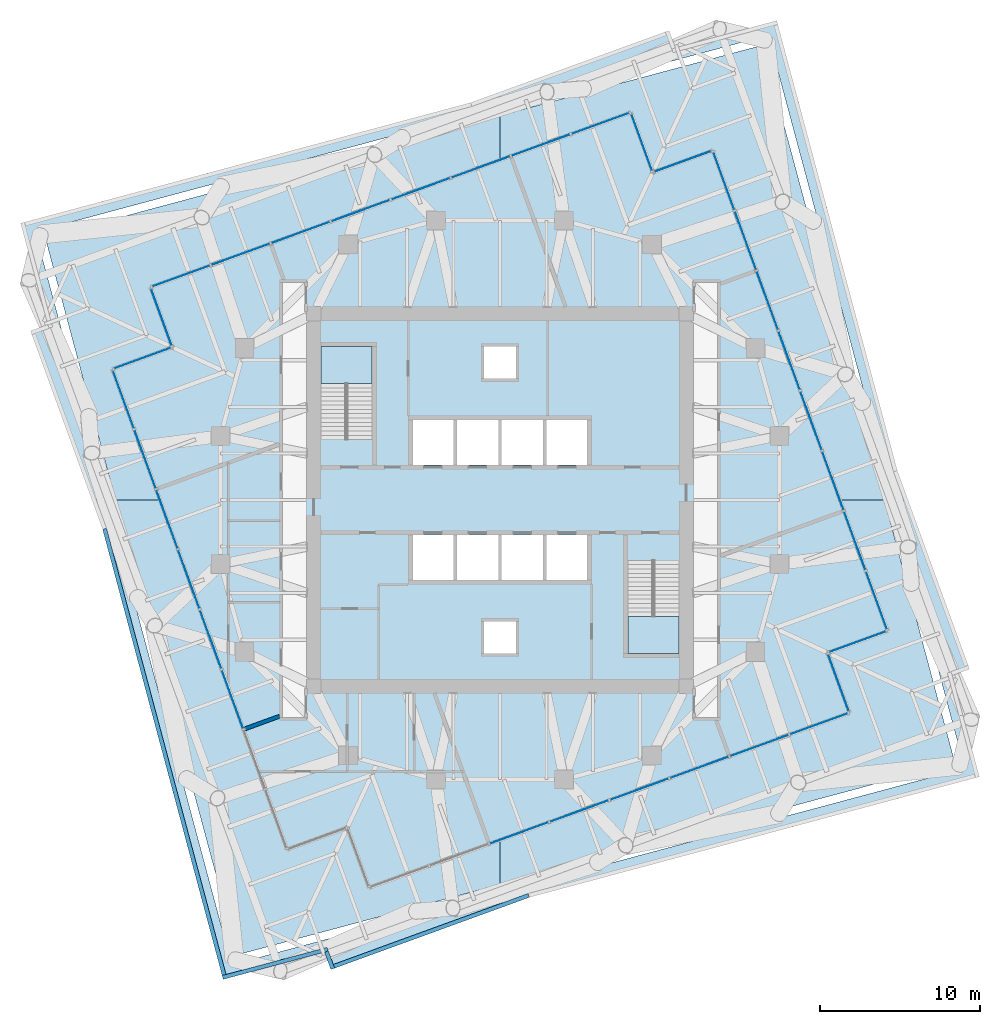
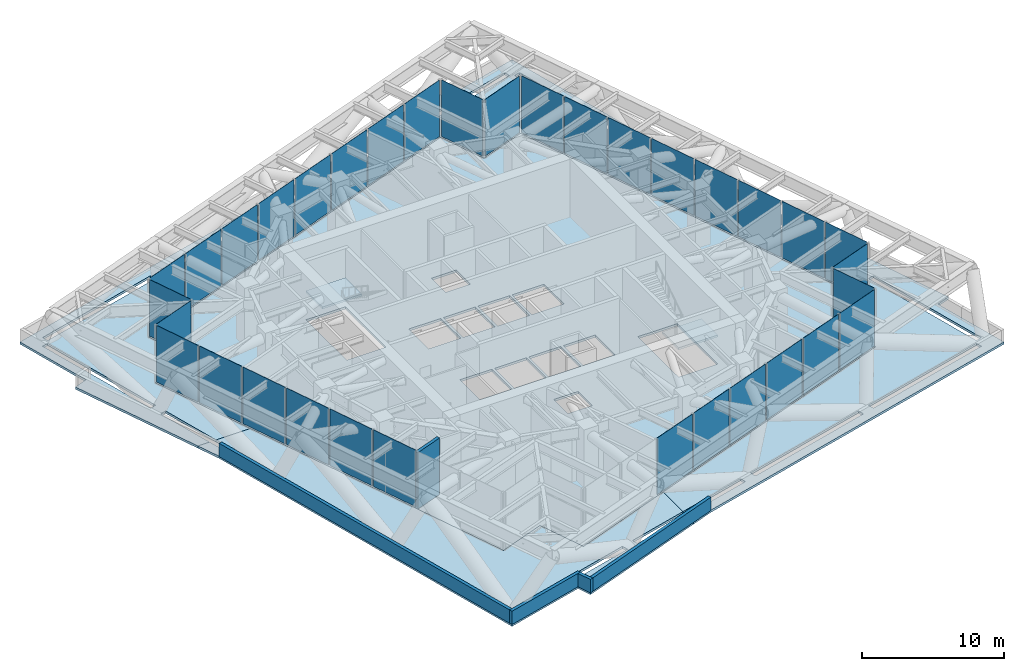
# One storey, part 7 of 12: 34 plates, 7 slabs, 5 walls, 12 elements without a shape of their own.
"""IFC4 building model written with IfcOpenShell, lengths in metres."""

from ifc_helpers import new_model, si_unit, direction, frame, frame_2d, origin, origin_2d, place, context, subcontext, project, spatial, polyline, rectangle, outline, extrude, material, layer, layer_set, type_object, element, aggregate, save


model = new_model("IFC4")

# Units and contexts
model_context = context("Model", 3, precision=1e-05, world=origin(), true_north=direction((0.0, 1.0)))
body_context = subcontext(model_context, "Body", "Model", "MODEL_VIEW")
ifc_project = project(units=[si_unit("LENGTHUNIT", "METRE"), si_unit("AREAUNIT", "SQUARE_METRE"), si_unit("VOLUMEUNIT", "CUBIC_METRE"), si_unit("PLANEANGLEUNIT", "RADIAN"), si_unit("MASSUNIT", "GRAM", prefix="KILO")], contexts=[model_context])

# Site, building, storey
site_placement = place(None, origin())
site = spatial("IfcSite", under=ifc_project, at=site_placement, CompositionType="ELEMENT")
building_placement = place(site_placement, origin())
building = spatial("IfcBuilding", under=site, at=building_placement, Name="Torsade Residences", CompositionType="ELEMENT")
storey_placement = place(building_placement, frame((0.0, 0.0, 138.800048828125)))
storey = spatial("IfcBuildingStorey", under=building, at=storey_placement, Name="L38", CompositionType="ELEMENT", Elevation=138.800048828125)

# Curtain wall, plates
ifc_material_1 = material(Name="Aluminium and glass", Category="aluminium")
curtain_wall_type = type_object("IfcCurtainWallType", Name="SKY LOUNGE CURTAIN WALL", PredefinedType="NOTDEFINED", material=ifc_material_1)
curtain_wall_1_placement = place(storey_placement, origin())
curtain_wall_1 = element("IfcCurtainWall", 1, at=curtain_wall_1_placement, inside=storey, type_object=curtain_wall_type, Name="Curtain wall L38 face 1", PredefinedType="NOTDEFINED")
ifc_material_2 = material(Name="Laminated glass", Category="glass")
ifc_layer_1 = layer(ifc_material_2, 0.02392578125)
ifc_layer_set_1 = layer_set([ifc_layer_1], Name="Laminated glass")
plate_type = type_object("IfcPlateType", Name="CLEAR GLASS PANEL", PredefinedType="CURTAIN_PANEL", material=ifc_layer_set_1)
plate_1_placement = place(storey_placement, frame((41.2021484375, 9.154052734375, 0.1298828125), z_axis=(0.0, 0.0, 1.0), x_axis=(0.939692617127, 0.342020153379, 0.0)))
plate_1 = element("IfcPlate", 2, at=plate_1_placement, type_object=plate_type, Name="Panel 3", PredefinedType="CURTAIN_PANEL", context=body_context, shape_type="SweptSolid", body=[
    extrude(rectangle(XDim=3.8798828125, YDim=0.02392578125, at=origin_2d()), origin(), (0.0, 0.0, 1.0), 4.8701171875),
])
plate_2_placement = place(storey_placement, frame((44.9609375, 10.522216796875, 0.1298828125), z_axis=(0.0, 0.0, 1.0), x_axis=(0.939692617127, 0.342020153379, 0.0)))
plate_2 = element("IfcPlate", 3, at=plate_2_placement, type_object=plate_type, Name="Panel 4", PredefinedType="CURTAIN_PANEL", context=body_context, shape_type="SweptSolid", body=[
    extrude(rectangle(XDim=3.8798828125, YDim=0.02392578125, at=origin_2d()), origin(), (0.0, 0.0, 1.0), 4.8701171875),
])
plate_3_placement = place(storey_placement, frame((48.7197265625, 11.89013671875, 0.1298828125), z_axis=(0.0, 0.0, 1.0), x_axis=(0.939692617127, 0.342020153379, 0.0)))
plate_3 = element("IfcPlate", 4, at=plate_3_placement, type_object=plate_type, Name="Panel 5", PredefinedType="CURTAIN_PANEL", context=body_context, shape_type="SweptSolid", body=[
    extrude(rectangle(XDim=3.8798828125, YDim=0.02392578125, at=origin_2d()), origin(), (0.0, 0.0, 1.0), 4.8701171875),
])
plate_4_placement = place(storey_placement, frame((52.478515625, 13.25830078125, 0.1298828125), z_axis=(0.0, 0.0, 1.0), x_axis=(0.939692617127, 0.342020153379, 0.0)))
plate_4 = element("IfcPlate", 5, at=plate_4_placement, type_object=plate_type, Name="Panel 6", PredefinedType="CURTAIN_PANEL", context=body_context, shape_type="SweptSolid", body=[
    extrude(rectangle(XDim=3.8798828125, YDim=0.02392578125, at=origin_2d()), origin(), (0.0, 0.0, 1.0), 4.8701171875),
])
plate_5_placement = place(storey_placement, frame((56.2373046875, 14.62646484375, 0.1298828125), z_axis=(0.0, 0.0, 1.0), x_axis=(0.939692617127, 0.342020153379, 0.0)))
plate_5 = element("IfcPlate", 6, at=plate_5_placement, type_object=plate_type, Name="Panel 7", PredefinedType="CURTAIN_PANEL", context=body_context, shape_type="SweptSolid", body=[
    extrude(rectangle(XDim=3.8798828125, YDim=0.02392578125, at=origin_2d()), origin(), (0.0, 0.0, 1.0), 4.8701171875),
])
plate_6_placement = place(storey_placement, frame((59.968017578125, 15.984130859375, 0.1298828125), z_axis=(0.0, 0.0, 1.0), x_axis=(0.939692617127, 0.342020153379, 0.0)))
plate_6 = element("IfcPlate", 7, at=plate_6_placement, type_object=plate_type, Name="Panel 8", PredefinedType="CURTAIN_PANEL", context=body_context, shape_type="SweptSolid", body=[
    extrude(rectangle(XDim=3.820068359375, YDim=0.02392578125, at=origin_2d()), origin(), (0.0, 0.0, 1.0), 4.8701171875),
])
aggregate(curtain_wall_1, [plate_1, plate_2, plate_3, plate_4, plate_5, plate_6])

# Curtain wall, plate
curtain_wall_2_placement = place(storey_placement, origin())
curtain_wall_2 = element("IfcCurtainWall", 8, at=curtain_wall_2_placement, inside=storey, type_object=curtain_wall_type, Name="Curtain wall L38 face 2", PredefinedType="NOTDEFINED")
plate_7_placement = place(storey_placement, frame((61.19140625, 18.557861328125, 0.1298828125), z_axis=(0.0, 0.0, 1.0), x_axis=(-0.342020276336, 0.939692572374, 0.0)))
plate_7 = element("IfcPlate", 9, at=plate_7_placement, type_object=plate_type, Name="Panel 1", PredefinedType="CURTAIN_PANEL", context=body_context, shape_type="SweptSolid", body=[
    extrude(rectangle(XDim=3.760009765625, YDim=0.02392578125, at=origin_2d()), origin(), (0.0, 0.0, 1.0), 4.8701171875),
])
aggregate(curtain_wall_2, [plate_7])

curtain_wall_3_placement = place(storey_placement, origin())
curtain_wall_3 = element("IfcCurtainWall", 10, at=curtain_wall_3_placement, inside=storey, type_object=curtain_wall_type, Name="Curtain wall L38 face 3", PredefinedType="NOTDEFINED")
plate_8_placement = place(storey_placement, frame((62.38671875, 21.121337890625, 0.1298828125), z_axis=(0.0, 0.0, 1.0), x_axis=(0.939692601618, 0.342020195988, 0.0)))
plate_8 = element("IfcPlate", 11, at=plate_8_placement, type_object=plate_type, Name="Panel 1", PredefinedType="CURTAIN_PANEL", context=body_context, shape_type="SweptSolid", body=[
    extrude(rectangle(XDim=3.760009765625, YDim=0.02392578125, at=origin_2d()), origin(), (0.0, 0.0, 1.0), 4.8701171875),
])
aggregate(curtain_wall_3, [plate_8])

# Curtain wall, plates
curtain_wall_4_placement = place(storey_placement, origin())
curtain_wall_4 = element("IfcCurtainWall", 12, at=curtain_wall_4_placement, inside=storey, type_object=curtain_wall_type, Name="Curtain wall L38 face 4", PredefinedType="NOTDEFINED")
plate_9_placement = place(storey_placement, frame((63.57177734375, 23.712890625, 0.1298828125), z_axis=(0.0, 0.0, 1.0), x_axis=(-0.342020153379, 0.939692617127, 0.0)))
plate_9 = element("IfcPlate", 13, at=plate_9_placement, type_object=plate_type, Name="Panel 1", PredefinedType="CURTAIN_PANEL", context=body_context, shape_type="SweptSolid", body=[
    extrude(rectangle(XDim=3.820068359375, YDim=0.02392578125, at=origin_2d()), origin(), (0.0, 0.0, 1.0), 4.8701171875),
])
plate_10_placement = place(storey_placement, frame((62.214111328125, 27.443359375, 0.1298828125), z_axis=(0.0, 0.0, 1.0), x_axis=(-0.342020153379, 0.939692617127, 0.0)))
plate_10 = element("IfcPlate", 14, at=plate_10_placement, type_object=plate_type, Name="Panel 2", PredefinedType="CURTAIN_PANEL", context=body_context, shape_type="SweptSolid", body=[
    extrude(rectangle(XDim=3.8798828125, YDim=0.02392578125, at=origin_2d()), origin(), (0.0, 0.0, 1.0), 4.8701171875),
])
plate_11_placement = place(storey_placement, frame((60.845947265625, 31.2021484375, 0.1298828125), z_axis=(0.0, 0.0, 1.0), x_axis=(-0.342020153379, 0.939692617127, 0.0)))
plate_11 = element("IfcPlate", 15, at=plate_11_placement, type_object=plate_type, Name="Panel 3", PredefinedType="CURTAIN_PANEL", context=body_context, shape_type="SweptSolid", body=[
    extrude(rectangle(XDim=3.8798828125, YDim=0.02392578125, at=origin_2d()), origin(), (0.0, 0.0, 1.0), 4.8701171875),
])
plate_12_placement = place(storey_placement, frame((59.477783203125, 34.9609375, 0.1298828125), z_axis=(0.0, 0.0, 1.0), x_axis=(-0.342020153379, 0.939692617127, 0.0)))
plate_12 = element("IfcPlate", 16, at=plate_12_placement, type_object=plate_type, Name="Panel 4", PredefinedType="CURTAIN_PANEL", context=body_context, shape_type="SweptSolid", body=[
    extrude(rectangle(XDim=3.8798828125, YDim=0.02392578125, at=origin_2d()), origin(), (0.0, 0.0, 1.0), 4.8701171875),
])
plate_13_placement = place(storey_placement, frame((58.10986328125, 38.7197265625, 0.1298828125), z_axis=(0.0, 0.0, 1.0), x_axis=(-0.342020153379, 0.939692617127, 0.0)))
plate_13 = element("IfcPlate", 17, at=plate_13_placement, type_object=plate_type, Name="Panel 5", PredefinedType="CURTAIN_PANEL", context=body_context, shape_type="SweptSolid", body=[
    extrude(rectangle(XDim=3.8798828125, YDim=0.02392578125, at=origin_2d()), origin(), (0.0, 0.0, 1.0), 4.8701171875),
])
plate_14_placement = place(storey_placement, frame((56.74169921875, 42.478515625, 0.1298828125), z_axis=(0.0, 0.0, 1.0), x_axis=(-0.342020153379, 0.939692617127, 0.0)))
plate_14 = element("IfcPlate", 18, at=plate_14_placement, type_object=plate_type, Name="Panel 6", PredefinedType="CURTAIN_PANEL", context=body_context, shape_type="SweptSolid", body=[
    extrude(rectangle(XDim=3.8798828125, YDim=0.02392578125, at=origin_2d()), origin(), (0.0, 0.0, 1.0), 4.8701171875),
])
plate_15_placement = place(storey_placement, frame((55.37353515625, 46.2373046875, 0.1298828125), z_axis=(0.0, 0.0, 1.0), x_axis=(-0.342020153379, 0.939692617127, 0.0)))
plate_15 = element("IfcPlate", 19, at=plate_15_placement, type_object=plate_type, Name="Panel 7", PredefinedType="CURTAIN_PANEL", context=body_context, shape_type="SweptSolid", body=[
    extrude(rectangle(XDim=3.8798828125, YDim=0.02392578125, at=origin_2d()), origin(), (0.0, 0.0, 1.0), 4.8701171875),
])
plate_16_placement = place(storey_placement, frame((54.015869140625, 49.968017578125, 0.1298828125), z_axis=(0.0, 0.0, 1.0), x_axis=(-0.342020153379, 0.939692617127, 0.0)))
plate_16 = element("IfcPlate", 20, at=plate_16_placement, type_object=plate_type, Name="Panel 8", PredefinedType="CURTAIN_PANEL", context=body_context, shape_type="SweptSolid", body=[
    extrude(rectangle(XDim=3.820068359375, YDim=0.02392578125, at=origin_2d()), origin(), (0.0, 0.0, 1.0), 4.8701171875),
])
aggregate(curtain_wall_4, [plate_9, plate_10, plate_11, plate_12, plate_13, plate_14, plate_15, plate_16])

# Curtain wall, plate
curtain_wall_5_placement = place(storey_placement, origin())
curtain_wall_5 = element("IfcCurtainWall", 21, at=curtain_wall_5_placement, inside=storey, type_object=curtain_wall_type, Name="Curtain wall L38 face 5", PredefinedType="NOTDEFINED")
plate_17_placement = place(storey_placement, frame((51.442138671875, 51.19140625, 0.1298828125), z_axis=(0.0, 0.0, 1.0), x_axis=(-0.939692572374, -0.342020276336, 0.0)))
plate_17 = element("IfcPlate", 22, at=plate_17_placement, type_object=plate_type, Name="Panel 1", PredefinedType="CURTAIN_PANEL", context=body_context, shape_type="SweptSolid", body=[
    extrude(rectangle(XDim=3.760009765625, YDim=0.02392578125, at=origin_2d()), origin(), (0.0, 0.0, 1.0), 4.8701171875),
])
aggregate(curtain_wall_5, [plate_17])

curtain_wall_6_placement = place(storey_placement, origin())
curtain_wall_6 = element("IfcCurtainWall", 23, at=curtain_wall_6_placement, inside=storey, type_object=curtain_wall_type, Name="Curtain wall L38 face 6", PredefinedType="NOTDEFINED")
plate_18_placement = place(storey_placement, frame((48.878662109375, 52.38671875, 0.1298828125), z_axis=(0.0, 0.0, 1.0), x_axis=(-0.342020195988, 0.939692601618, 0.0)))
plate_18 = element("IfcPlate", 24, at=plate_18_placement, type_object=plate_type, Name="Panel 1", PredefinedType="CURTAIN_PANEL", context=body_context, shape_type="SweptSolid", body=[
    extrude(rectangle(XDim=3.760009765625, YDim=0.02392578125, at=origin_2d()), origin(), (0.0, 0.0, 1.0), 4.8701171875),
])
aggregate(curtain_wall_6, [plate_18])

# Curtain wall, plates
curtain_wall_7_placement = place(storey_placement, origin())
curtain_wall_7 = element("IfcCurtainWall", 25, at=curtain_wall_7_placement, inside=storey, type_object=curtain_wall_type, Name="Curtain wall L38 face 7", PredefinedType="NOTDEFINED")
plate_19_placement = place(storey_placement, frame((46.287109375, 53.57177734375, 0.1298828125), z_axis=(0.0, 0.0, 1.0), x_axis=(-0.939692617127, -0.342020153379, 0.0)))
plate_19 = element("IfcPlate", 26, at=plate_19_placement, type_object=plate_type, Name="Panel 1", PredefinedType="CURTAIN_PANEL", context=body_context, shape_type="SweptSolid", body=[
    extrude(rectangle(XDim=3.820068359375, YDim=0.02392578125, at=origin_2d()), origin(), (0.0, 0.0, 1.0), 4.8701171875),
])
plate_20_placement = place(storey_placement, frame((42.556640625, 52.214111328125, 0.1298828125), z_axis=(0.0, 0.0, 1.0), x_axis=(-0.939692617127, -0.342020153379, 0.0)))
plate_20 = element("IfcPlate", 27, at=plate_20_placement, type_object=plate_type, Name="Panel 2", PredefinedType="CURTAIN_PANEL", context=body_context, shape_type="SweptSolid", body=[
    extrude(rectangle(XDim=3.8798828125, YDim=0.02392578125, at=origin_2d()), origin(), (0.0, 0.0, 1.0), 4.8701171875),
])
plate_21_placement = place(storey_placement, frame((38.7978515625, 50.845947265625, 0.1298828125), z_axis=(0.0, 0.0, 1.0), x_axis=(-0.939692617127, -0.342020153379, 0.0)))
plate_21 = element("IfcPlate", 28, at=plate_21_placement, type_object=plate_type, Name="Panel 3", PredefinedType="CURTAIN_PANEL", context=body_context, shape_type="SweptSolid", body=[
    extrude(rectangle(XDim=3.8798828125, YDim=0.02392578125, at=origin_2d()), origin(), (0.0, 0.0, 1.0), 4.8701171875),
])
plate_22_placement = place(storey_placement, frame((35.0390625, 49.477783203125, 0.1298828125), z_axis=(0.0, 0.0, 1.0), x_axis=(-0.939692617127, -0.342020153379, 0.0)))
plate_22 = element("IfcPlate", 29, at=plate_22_placement, type_object=plate_type, Name="Panel 4", PredefinedType="CURTAIN_PANEL", context=body_context, shape_type="SweptSolid", body=[
    extrude(rectangle(XDim=3.8798828125, YDim=0.02392578125, at=origin_2d()), origin(), (0.0, 0.0, 1.0), 4.8701171875),
])
plate_23_placement = place(storey_placement, frame((31.2802734375, 48.10986328125, 0.1298828125), z_axis=(0.0, 0.0, 1.0), x_axis=(-0.939692617127, -0.342020153379, 0.0)))
plate_23 = element("IfcPlate", 30, at=plate_23_placement, type_object=plate_type, Name="Panel 5", PredefinedType="CURTAIN_PANEL", context=body_context, shape_type="SweptSolid", body=[
    extrude(rectangle(XDim=3.8798828125, YDim=0.02392578125, at=origin_2d()), origin(), (0.0, 0.0, 1.0), 4.8701171875),
])
plate_24_placement = place(storey_placement, frame((27.521484375, 46.74169921875, 0.1298828125), z_axis=(0.0, 0.0, 1.0), x_axis=(-0.939692617127, -0.342020153379, 0.0)))
plate_24 = element("IfcPlate", 31, at=plate_24_placement, type_object=plate_type, Name="Panel 6", PredefinedType="CURTAIN_PANEL", context=body_context, shape_type="SweptSolid", body=[
    extrude(rectangle(XDim=3.8798828125, YDim=0.02392578125, at=origin_2d()), origin(), (0.0, 0.0, 1.0), 4.8701171875),
])
plate_25_placement = place(storey_placement, frame((23.7626953125, 45.37353515625, 0.1298828125), z_axis=(0.0, 0.0, 1.0), x_axis=(-0.939692617127, -0.342020153379, 0.0)))
plate_25 = element("IfcPlate", 32, at=plate_25_placement, type_object=plate_type, Name="Panel 7", PredefinedType="CURTAIN_PANEL", context=body_context, shape_type="SweptSolid", body=[
    extrude(rectangle(XDim=3.8798828125, YDim=0.02392578125, at=origin_2d()), origin(), (0.0, 0.0, 1.0), 4.8701171875),
])
plate_26_placement = place(storey_placement, frame((20.031982421875, 44.015869140625, 0.1298828125), z_axis=(0.0, 0.0, 1.0), x_axis=(-0.939692617127, -0.342020153379, 0.0)))
plate_26 = element("IfcPlate", 33, at=plate_26_placement, type_object=plate_type, Name="Panel 8", PredefinedType="CURTAIN_PANEL", context=body_context, shape_type="SweptSolid", body=[
    extrude(rectangle(XDim=3.820068359375, YDim=0.02392578125, at=origin_2d()), origin(), (0.0, 0.0, 1.0), 4.8701171875),
])
aggregate(curtain_wall_7, [plate_19, plate_20, plate_21, plate_22, plate_23, plate_24, plate_25, plate_26])

# Curtain wall, plate
curtain_wall_8_placement = place(storey_placement, origin())
curtain_wall_8 = element("IfcCurtainWall", 34, at=curtain_wall_8_placement, inside=storey, type_object=curtain_wall_type, Name="Curtain wall L38 face 8", PredefinedType="NOTDEFINED")
plate_27_placement = place(storey_placement, frame((18.80859375, 41.442138671875, 0.1298828125), z_axis=(0.0, 0.0, 1.0), x_axis=(0.342020276336, -0.939692572374, 0.0)))
plate_27 = element("IfcPlate", 35, at=plate_27_placement, type_object=plate_type, Name="Panel 1", PredefinedType="CURTAIN_PANEL", context=body_context, shape_type="SweptSolid", body=[
    extrude(rectangle(XDim=3.760009765625, YDim=0.02392578125, at=origin_2d()), origin(), (0.0, 0.0, 1.0), 4.8701171875),
])
aggregate(curtain_wall_8, [plate_27])

curtain_wall_9_placement = place(storey_placement, origin())
curtain_wall_9 = element("IfcCurtainWall", 36, at=curtain_wall_9_placement, inside=storey, type_object=curtain_wall_type, Name="Curtain wall L38 face 9", PredefinedType="NOTDEFINED")
plate_28_placement = place(storey_placement, frame((17.61328125, 38.878662109375, 0.1298828125), z_axis=(0.0, 0.0, 1.0), x_axis=(-0.939692601618, -0.342020195988, 0.0)))
plate_28 = element("IfcPlate", 37, at=plate_28_placement, type_object=plate_type, Name="Panel 1", PredefinedType="CURTAIN_PANEL", context=body_context, shape_type="SweptSolid", body=[
    extrude(rectangle(XDim=3.760009765625, YDim=0.02392578125, at=origin_2d()), origin(), (0.0, 0.0, 1.0), 4.8701171875),
])
aggregate(curtain_wall_9, [plate_28])

# Curtain wall, plates
curtain_wall_10_placement = place(storey_placement, origin())
curtain_wall_10 = element("IfcCurtainWall", 38, at=curtain_wall_10_placement, inside=storey, type_object=curtain_wall_type, Name="Curtain wall L38 face 10", PredefinedType="NOTDEFINED")
plate_29_placement = place(storey_placement, frame((16.42822265625, 36.287109375, 0.1298828125), z_axis=(0.0, 0.0, 1.0), x_axis=(0.342020153379, -0.939692617127, 0.0)))
plate_29 = element("IfcPlate", 39, at=plate_29_placement, type_object=plate_type, Name="Panel 1", PredefinedType="CURTAIN_PANEL", context=body_context, shape_type="SweptSolid", body=[
    extrude(rectangle(XDim=3.820068359375, YDim=0.02392578125, at=origin_2d()), origin(), (0.0, 0.0, 1.0), 4.8701171875),
])
plate_30_placement = place(storey_placement, frame((17.785888671875, 32.556640625, 0.1298828125), z_axis=(0.0, 0.0, 1.0), x_axis=(0.342020153379, -0.939692617127, 0.0)))
plate_30 = element("IfcPlate", 40, at=plate_30_placement, type_object=plate_type, Name="Panel 2", PredefinedType="CURTAIN_PANEL", context=body_context, shape_type="SweptSolid", body=[
    extrude(rectangle(XDim=3.8798828125, YDim=0.02392578125, at=origin_2d()), origin(), (0.0, 0.0, 1.0), 4.8701171875),
])
plate_31_placement = place(storey_placement, frame((19.154052734375, 28.7978515625, 0.1298828125), z_axis=(0.0, 0.0, 1.0), x_axis=(0.342020153379, -0.939692617127, 0.0)))
plate_31 = element("IfcPlate", 41, at=plate_31_placement, type_object=plate_type, Name="Panel 3", PredefinedType="CURTAIN_PANEL", context=body_context, shape_type="SweptSolid", body=[
    extrude(rectangle(XDim=3.8798828125, YDim=0.02392578125, at=origin_2d()), origin(), (0.0, 0.0, 1.0), 4.8701171875),
])
plate_32_placement = place(storey_placement, frame((20.522216796875, 25.0390625, 0.1298828125), z_axis=(0.0, 0.0, 1.0), x_axis=(0.342020153379, -0.939692617127, 0.0)))
plate_32 = element("IfcPlate", 42, at=plate_32_placement, type_object=plate_type, Name="Panel 4", PredefinedType="CURTAIN_PANEL", context=body_context, shape_type="SweptSolid", body=[
    extrude(rectangle(XDim=3.8798828125, YDim=0.02392578125, at=origin_2d()), origin(), (0.0, 0.0, 1.0), 4.8701171875),
])
plate_33_placement = place(storey_placement, frame((21.89013671875, 21.2802734375, 0.1298828125), z_axis=(0.0, 0.0, 1.0), x_axis=(0.342020153379, -0.939692617127, 0.0)))
plate_33 = element("IfcPlate", 43, at=plate_33_placement, type_object=plate_type, Name="Panel 5", PredefinedType="CURTAIN_PANEL", context=body_context, shape_type="SweptSolid", body=[
    extrude(rectangle(XDim=3.8798828125, YDim=0.02392578125, at=origin_2d()), origin(), (0.0, 0.0, 1.0), 4.8701171875),
])
plate_34_placement = place(storey_placement, frame((23.25830078125, 17.521484375, 0.1298828125), z_axis=(0.0, 0.0, 1.0), x_axis=(0.342020153379, -0.939692617127, 0.0)))
plate_34 = element("IfcPlate", 44, at=plate_34_placement, type_object=plate_type, Name="Panel 6", PredefinedType="CURTAIN_PANEL", context=body_context, shape_type="SweptSolid", body=[
    extrude(rectangle(XDim=3.8798828125, YDim=0.02392578125, at=origin_2d()), origin(), (0.0, 0.0, 1.0), 4.8701171875),
])
aggregate(curtain_wall_10, [plate_29, plate_30, plate_31, plate_32, plate_33, plate_34])

# Stair, slab
ifc_material_3 = material(Name="Precast concrete 40 MPa", Category="concrete")
stair_type = type_object("IfcStairType", Name="HALF-TURN FIRE STAIR 1500x5000", PredefinedType="HALF_TURN_STAIR", material=ifc_material_3)
stair_1_placement = place(storey_placement, origin())
stair_1 = element("IfcStair", 45, at=stair_1_placement, inside=storey, type_object=stair_type, Name="Stair ST1 L38", PredefinedType="HALF_TURN_STAIR")
ifc_material_4 = material(Name="Precast concrete 40 MPa", Category="concrete")
ifc_layer_2 = layer(ifc_material_4, 0.179931640625)
ifc_layer_set_2 = layer_set([ifc_layer_2], Name="Precast concrete 40 MPa")
slab_type_1 = type_object("IfcSlabType", Name="PRECAST STAIR LANDING 180", PredefinedType="LANDING", material=ifc_layer_set_2)
slab_1_placement = place(storey_placement, frame((0.0, 0.0, 2.320068359375)))
slab_1 = element("IfcSlab", 46, at=slab_1_placement, type_object=slab_type_1, Name="ST1 landing 1", PredefinedType="LANDING", context=body_context, shape_type="SweptSolid", body=[
    extrude(outline(polyline([(28.800048828125, 37.2900390625), (32.0, 37.2900390625), (32.0, 39.60009765625), (28.800048828125, 39.60009765625), (28.800048828125, 37.2900390625)])), origin(), (0.0, 0.0, 1.0), 0.179931640625),
])
aggregate(stair_1, [slab_1])

stair_2_placement = place(storey_placement, origin())
stair_2 = element("IfcStair", 47, at=stair_2_placement, inside=storey, type_object=stair_type, Name="Stair ST2 L38", PredefinedType="HALF_TURN_STAIR")
slab_2_placement = place(storey_placement, frame((0.0, 0.0, 2.320068359375)))
slab_2 = element("IfcSlab", 48, at=slab_2_placement, type_object=slab_type_1, Name="ST2 landing 1", PredefinedType="LANDING", context=body_context, shape_type="SweptSolid", body=[
    extrude(outline(polyline([(48.0, 20.39990234375), (51.199951171875, 20.39990234375), (51.199951171875, 22.7099609375), (48.0, 22.7099609375), (48.0, 20.39990234375)])), origin(), (0.0, 0.0, 1.0), 0.179931640625),
])
aggregate(stair_2, [slab_2])

# Slabs
ifc_material_5 = material(Name="Concrete 40 MPa", Category="concrete")
ifc_layer_3 = layer(ifc_material_5, 0.199951171875)
ifc_layer_set_3 = layer_set([ifc_layer_3], Name="Concrete 40 MPa")
slab_type_2 = type_object("IfcSlabType", Name="TRANSFER FLOOR SLAB 200", PredefinedType="FLOOR", material=ifc_layer_set_3)
slab_3_placement = place(storey_placement, frame((0.0, 0.0, -0.199951171875)))
element("IfcSlab", 49, at=slab_3_placement, inside=storey, type_object=slab_type_2, Name="Floor slab L38", PredefinedType="FLOOR", context=body_context, shape_type="SweptSolid", body=[
    extrude(outline(polyline([(31.805419921875, 5.73388671875), (61.87548828125, 16.678466796875), (60.50732421875, 20.437255859375), (64.26611328125, 21.805419921875), (53.321533203125, 51.87548828125), (49.562744140625, 50.50732421875), (48.194580078125, 54.26611328125), (18.12451171875, 43.321533203125), (19.49267578125, 39.562744140625), (15.73388671875, 38.194580078125), (26.678466796875, 8.12451171875), (30.437255859375, 9.49267578125), (31.805419921875, 5.73388671875)]), holes=[polyline([(51.199951171875, 20.39990234375), (51.199951171875, 26.1201171875), (48.0, 26.1201171875), (48.0, 20.39990234375), (51.199951171875, 20.39990234375)]), polyline([(45.5, 27.800048828125), (42.89990234375, 27.800048828125), (42.89990234375, 25.0), (45.5, 25.0), (45.5, 27.800048828125)]), polyline([(45.5, 32.199951171875), (45.5, 35.0), (42.89990234375, 35.0), (42.89990234375, 32.199951171875), (45.5, 32.199951171875)]), polyline([(42.699951171875, 25.0), (42.699951171875, 27.800048828125), (40.10009765625, 27.800048828125), (40.10009765625, 25.0), (42.699951171875, 25.0)]), polyline([(42.699951171875, 32.199951171875), (42.699951171875, 35.0), (40.10009765625, 35.0), (40.10009765625, 32.199951171875), (42.699951171875, 32.199951171875)]), polyline([(41.0, 22.39990234375), (39.0, 22.39990234375), (39.0, 20.39990234375), (41.0, 20.39990234375), (41.0, 22.39990234375)]), polyline([(41.0, 37.60009765625), (41.0, 39.60009765625), (39.0, 39.60009765625), (39.0, 37.60009765625), (41.0, 37.60009765625)]), polyline([(39.89990234375, 25.0), (39.89990234375, 27.800048828125), (37.300048828125, 27.800048828125), (37.300048828125, 25.0), (39.89990234375, 25.0)]), polyline([(39.89990234375, 35.0), (37.300048828125, 35.0), (37.300048828125, 32.199951171875), (39.89990234375, 32.199951171875), (39.89990234375, 35.0)]), polyline([(37.10009765625, 27.800048828125), (34.5, 27.800048828125), (34.5, 25.0), (37.10009765625, 25.0), (37.10009765625, 27.800048828125)]), polyline([(37.10009765625, 32.199951171875), (37.10009765625, 35.0), (34.5, 35.0), (34.5, 32.199951171875), (37.10009765625, 32.199951171875)]), polyline([(32.0, 33.8798828125), (32.0, 39.60009765625), (28.800048828125, 39.60009765625), (28.800048828125, 33.8798828125), (32.0, 33.8798828125)])]), origin(), (0.0, 0.0, 1.0), 0.199951171875),
])
ifc_material_6 = material(Name="Concrete 40 MPa", Category="concrete")
ifc_layer_4 = layer(ifc_material_6, 0.199951171875)
ifc_layer_set_4 = layer_set([ifc_layer_4], Name="Concrete 40 MPa")
slab_type_3 = type_object("IfcSlabType", Name="TRANSFER LEDGE SLAB 200", PredefinedType="ROOF", material=ifc_layer_set_4)
slab_4_placement = place(storey_placement, frame((0.0, 0.0, -0.199951171875)))
element("IfcSlab", 50, at=slab_4_placement, inside=storey, type_object=slab_type_3, Name="Transfer ledge slab L38 north-east", PredefinedType="ROOF", context=body_context, shape_type="SweptSolid", body=[
    extrude(outline(polyline([(40.0, 55.540283203125), (40.0, 54.587890625), (44.7197265625, 55.8525390625), (44.84912109375, 55.369384765625), (40.0, 54.070068359375), (40.0, 51.283447265625), (48.194580078125, 54.26611328125), (49.562744140625, 50.50732421875), (53.321533203125, 51.87548828125), (61.283447265625, 30.0), (64.070068359375, 30.0), (62.587158203125, 35.53466796875), (63.070068359375, 35.6640625), (64.587890625, 30.0), (65.540283203125, 30.0), (64.873046875, 31.8330078125), (57.32421875, 60.00634765625), (50.980712890625, 58.306640625), (50.58544921875, 59.39306640625), (40.0, 55.540283203125)]), holes=[polyline([(62.811279296875, 36.6298828125), (60.029052734375, 47.013671875), (59.546142578125, 46.88427734375), (62.328369140625, 36.50048828125), (62.811279296875, 36.6298828125)]), polyline([(59.770263671875, 47.9794921875), (56.98779296875, 58.36328125), (56.5048828125, 58.23388671875), (59.287353515625, 47.85009765625), (59.770263671875, 47.9794921875)]), polyline([(56.0693359375, 58.8935546875), (45.685546875, 56.111328125), (45.81494140625, 55.62841796875), (56.19873046875, 58.41064453125), (56.0693359375, 58.8935546875)])]), origin(), (0.0, 0.0, 1.0), 0.199951171875),
])
slab_5_placement = place(storey_placement, frame((0.0, 0.0, -0.199951171875)))
element("IfcSlab", 51, at=slab_5_placement, inside=storey, type_object=slab_type_3, Name="Transfer ledge slab L38 north-west", PredefinedType="ROOF", context=body_context, shape_type="SweptSolid", body=[
    extrude(outline(polyline([(10.60693359375, 40.58544921875), (14.459716796875, 30.0), (15.412109375, 30.0), (14.1474609375, 34.7197265625), (14.630615234375, 34.84912109375), (15.929931640625, 30.0), (18.716552734375, 30.0), (15.73388671875, 38.194580078125), (19.49267578125, 39.562744140625), (18.12451171875, 43.321533203125), (40.0, 51.283447265625), (40.0, 54.070068359375), (34.46533203125, 52.587158203125), (34.3359375, 53.070068359375), (40.0, 54.587890625), (40.0, 55.540283203125), (38.1669921875, 54.873046875), (9.99365234375, 47.32421875), (11.693359375, 40.980712890625), (10.60693359375, 40.58544921875)]), holes=[polyline([(33.3701171875, 52.811279296875), (22.986328125, 50.029052734375), (23.11572265625, 49.546142578125), (33.49951171875, 52.328369140625), (33.3701171875, 52.811279296875)]), polyline([(22.0205078125, 49.770263671875), (11.63671875, 46.98779296875), (11.76611328125, 46.5048828125), (22.14990234375, 49.287353515625), (22.0205078125, 49.770263671875)]), polyline([(11.1064453125, 46.0693359375), (13.888671875, 35.685546875), (14.37158203125, 35.81494140625), (11.58935546875, 46.19873046875), (11.1064453125, 46.0693359375)])]), origin(), (0.0, 0.0, 1.0), 0.199951171875),
])
slab_6_placement = place(storey_placement, frame((0.0, 0.0, -0.199951171875)))
element("IfcSlab", 52, at=slab_6_placement, inside=storey, type_object=slab_type_3, Name="Transfer ledge slab L38 south-west", PredefinedType="ROOF", context=body_context, shape_type="SweptSolid", body=[
    extrude(outline(polyline([(40.0, 4.459716796875), (40.0, 5.412109375), (35.2802734375, 4.1474609375), (35.15087890625, 4.630615234375), (40.0, 5.929931640625), (40.0, 8.716552734375), (31.805419921875, 5.73388671875), (30.437255859375, 9.49267578125), (26.678466796875, 8.12451171875), (18.716552734375, 30.0), (15.929931640625, 30.0), (17.412841796875, 24.46533203125), (16.929931640625, 24.3359375), (15.412109375, 30.0), (14.459716796875, 30.0), (15.126953125, 28.1669921875), (22.67578125, -0.00634765625), (29.019287109375, 1.693359375), (29.41455078125, 0.60693359375), (40.0, 4.459716796875)]), holes=[polyline([(23.9306640625, 1.1064453125), (34.314453125, 3.888671875), (34.18505859375, 4.37158203125), (23.80126953125, 1.58935546875), (23.9306640625, 1.1064453125)]), polyline([(20.229736328125, 12.0205078125), (23.01220703125, 1.63671875), (23.4951171875, 1.76611328125), (20.712646484375, 12.14990234375), (20.229736328125, 12.0205078125)]), polyline([(17.188720703125, 23.3701171875), (19.970947265625, 12.986328125), (20.453857421875, 13.11572265625), (17.671630859375, 23.49951171875), (17.188720703125, 23.3701171875)])]), origin(), (0.0, 0.0, 1.0), 0.199951171875),
])
slab_7_placement = place(storey_placement, frame((0.0, 0.0, -0.199951171875)))
element("IfcSlab", 53, at=slab_7_placement, inside=storey, type_object=slab_type_3, Name="Transfer ledge slab L38 south-east", PredefinedType="ROOF", context=body_context, shape_type="SweptSolid", body=[
    extrude(outline(polyline([(65.540283203125, 30.0), (64.587890625, 30.0), (65.8525390625, 25.2802734375), (65.369384765625, 25.15087890625), (64.070068359375, 30.0), (61.283447265625, 30.0), (64.26611328125, 21.805419921875), (60.50732421875, 20.437255859375), (61.87548828125, 16.678466796875), (40.0, 8.716552734375), (40.0, 5.929931640625), (45.53466796875, 7.412841796875), (45.6640625, 6.929931640625), (40.0, 5.412109375), (40.0, 4.459716796875), (41.8330078125, 5.126953125), (70.00634765625, 12.67578125), (68.306640625, 19.019287109375), (69.39306640625, 19.41455078125), (65.540283203125, 30.0)]), holes=[polyline([(65.62841796875, 24.18505859375), (68.41064453125, 13.80126953125), (68.8935546875, 13.9306640625), (66.111328125, 24.314453125), (65.62841796875, 24.18505859375)]), polyline([(57.85009765625, 10.712646484375), (57.9794921875, 10.229736328125), (68.36328125, 13.01220703125), (68.23388671875, 13.4951171875), (57.85009765625, 10.712646484375)]), polyline([(46.6298828125, 7.188720703125), (57.013671875, 9.970947265625), (56.88427734375, 10.453857421875), (46.50048828125, 7.671630859375), (46.6298828125, 7.188720703125)])]), origin(), (0.0, 0.0, 1.0), 0.199951171875),
])

# Walls
ifc_material_7 = material(Name="Stone-faced precast concrete 40 MPa panel", Category="masonry")
ifc_layer_5 = layer(ifc_material_7, 0.25)
ifc_layer_set_5 = layer_set([ifc_layer_5], Name="Stone-faced precast concrete 40 MPa panel")
wall_type_1 = type_object("IfcWallType", Name="PARAPET WALL 250", PredefinedType="PARAPET", material=ifc_layer_set_5)
wall_1_placement = place(storey_placement, frame((29.13671875, 1.736083984375, -0.050048828125), z_axis=(0.0, 0.0, 1.0), x_axis=(0.341895660983, -0.939737919316, 0.0)))
element("IfcWall", 54, at=wall_1_placement, inside=storey, type_object=wall_type_1, Name="Ledge parapet L38 1", PredefinedType="PARAPET", context=body_context, shape_type="SweptSolid", body=[
    extrude(rectangle(XDim=1.156005859375, YDim=0.25, at=frame_2d((0.578125, 0.0))), origin(), (0.0, 0.0, 1.0), 1.14990234375),
])
wall_2_placement = place(storey_placement, frame((29.371826171875, 0.724365234375, -0.050048828125), z_axis=(0.0, 0.0, 1.0), x_axis=(0.939692601126, 0.342020197341, 0.0)))
element("IfcWall", 55, at=wall_2_placement, inside=storey, type_object=wall_type_1, Name="Ledge parapet L38 2", PredefinedType="PARAPET", context=body_context, shape_type="SweptSolid", body=[
    extrude(rectangle(XDim=13.226318359375, YDim=0.25, at=frame_2d((6.61328125, 0.0))), origin(), (0.0, 0.0, 1.0), 1.14990234375),
])
wall_3_placement = place(storey_placement, frame((15.24755859375, 28.199462890625, -0.050048828125), z_axis=(0.0, 0.0, 1.0), x_axis=(0.258820599944, -0.965925409669, 0.0)))
element("IfcWall", 56, at=wall_3_placement, inside=storey, type_object=wall_type_1, Name="Ledge parapet L38 16", PredefinedType="PARAPET", context=body_context, shape_type="SweptSolid", body=[
    extrude(rectangle(XDim=29.167236328125, YDim=0.25, at=frame_2d((14.58349609375, 0.0))), origin(), (0.0, 0.0, 1.0), 1.14990234375),
])
wall_4_placement = place(storey_placement, frame((22.6435546875, 0.114501953125, -0.050048828125), z_axis=(0.0, 0.0, 1.0), x_axis=(0.965922394447, 0.258831852573, 0.0)))
element("IfcWall", 57, at=wall_4_placement, inside=storey, type_object=wall_type_1, Name="Ledge parapet L38 17", PredefinedType="PARAPET", context=body_context, shape_type="SweptSolid", body=[
    extrude(rectangle(XDim=6.796142578125, YDim=0.25, at=frame_2d((3.39794921875, 0.0))), origin(), (0.0, 0.0, 1.0), 1.14990234375),
])
ifc_material_8 = material(Name="Masonry-lined stud party wall", Category="masonry")
ifc_layer_6 = layer(ifc_material_8, 0.25)
ifc_layer_set_6 = layer_set([ifc_layer_6], Name="Masonry-lined stud party wall")
wall_type_2 = type_object("IfcWallType", Name="PARTY WALL 250", PredefinedType="PARTITIONING", material=ifc_layer_set_6)
wall_5_placement = place(storey_placement, frame((23.9423828125, 15.64208984375, 0.0), z_axis=(0.0, 0.0, 1.0), x_axis=(0.939692273186, 0.342021098348, 0.0)))
element("IfcWall", 58, at=wall_5_placement, inside=storey, type_object=wall_type_2, Name="Party wall L38", PredefinedType="PARTITIONING", context=body_context, shape_type="SweptSolid", body=[
    extrude(rectangle(XDim=2.39697265625, YDim=0.25, at=frame_2d((1.198486328125, 0.0))), origin(), (0.0, 0.0, 1.0), 4.849853515625),
])

save(model, "model.ifc")
